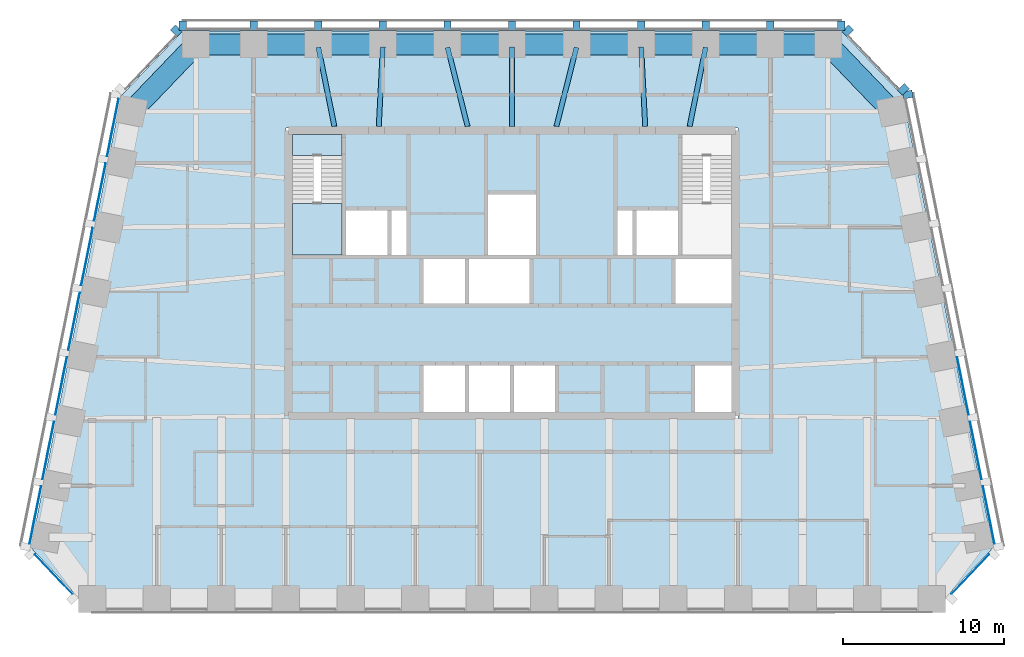
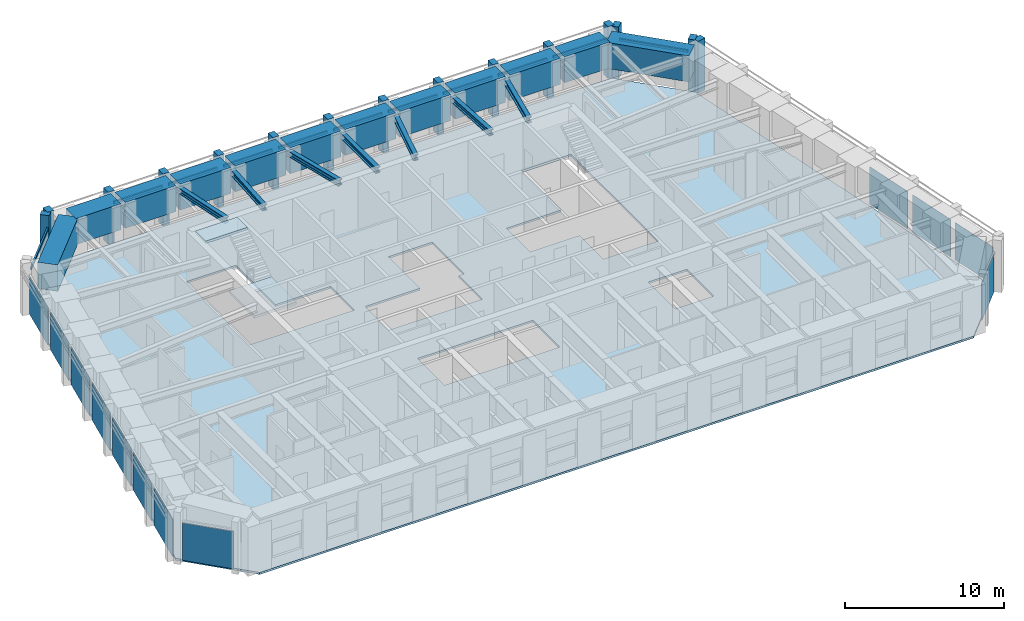
# One storey, part 3 of 12: 27 members, 19 beams, 12 plates, 3 slabs, 8 elements without a shape of their own.
"""IFC4 building model written with IfcOpenShell, lengths in metres."""

from ifc_helpers import new_model, si_unit, direction, frame, origin, origin_2d, place, context, subcontext, project, spatial, polyline, rectangle, i_section, outline, extrude, material, layer, layer_set, material_profile, profile_set, type_object, element, aggregate, save


model = new_model("IFC4")

# Units and contexts
model_context = context("Model", 3, precision=1e-05, world=origin(), true_north=direction((0.0, 1.0)))
body_context = subcontext(model_context, "Body", "Model", "MODEL_VIEW")
ifc_project = project(units=[si_unit("LENGTHUNIT", "METRE"), si_unit("AREAUNIT", "SQUARE_METRE"), si_unit("VOLUMEUNIT", "CUBIC_METRE"), si_unit("PLANEANGLEUNIT", "RADIAN"), si_unit("MASSUNIT", "GRAM", prefix="KILO")], contexts=[model_context])

# Site, building, storey
site_placement = place(None, origin())
site = spatial("IfcSite", under=ifc_project, at=site_placement, CompositionType="ELEMENT")
building_placement = place(site_placement, origin())
building = spatial("IfcBuilding", under=site, at=building_placement, Name="Isbrekke Arena Tower", CompositionType="ELEMENT")
storey_placement = place(building_placement, frame((0.0, 0.0, 292.0)))
storey = spatial("IfcBuildingStorey", under=building, at=storey_placement, Name="L68", CompositionType="ELEMENT", Elevation=292.0)

# Beams
ifc_material_1 = material(Name="Steel S355", Category="steel")
ifc_material_profile_1 = material_profile(ifc_material_1, i_section(OverallWidth=0.306884765625, OverallDepth=0.431884765625, WebThickness=0.02099609375, FlangeThickness=0.0400390625, FilletRadius=0.027099609375, at=origin_2d()), Name="HEM 400")
ifc_profile_set_1 = profile_set([ifc_material_profile_1], Name="Steel S355")
beam_type_1 = type_object("IfcBeamType", Name="B6 HEM 400", PredefinedType="BEAM", material=ifc_profile_set_1)
beam_1_placement = place(storey_placement, frame((11.993896484375, 28.9951171875, 3.634033203125), z_axis=(-0.198982177337, -0.980003108721, 0.0), x_axis=(0.980003108721, -0.198982177337, 0.0)))
element("IfcBeam", 1, at=beam_1_placement, inside=storey, type_object=beam_type_1, Name="B6 beam N-N03 L68", PredefinedType="BEAM", context=body_context, shape_type="SweptSolid", body=[
    extrude(i_section(OverallWidth=0.306884765625, OverallDepth=0.431884765625, WebThickness=0.02099609375, FlangeThickness=0.0400390625, FilletRadius=0.027099609375, at=origin_2d()), origin(), (0.0, 0.0, 1.0), 4.994873046875),
])
beam_2_placement = place(storey_placement, frame((8.00048828125, 29.017333984375, 3.634033203125), z_axis=(0.050677067868, -0.998715091902, 0.0), x_axis=(0.998715091902, 0.050677067868, 0.0)))
element("IfcBeam", 2, at=beam_2_placement, inside=storey, type_object=beam_type_1, Name="B6 beam N-N04 L68", PredefinedType="BEAM", context=body_context, shape_type="SweptSolid", body=[
    extrude(i_section(OverallWidth=0.306884765625, OverallDepth=0.431884765625, WebThickness=0.02099609375, FlangeThickness=0.0400390625, FilletRadius=0.027099609375, at=origin_2d()), origin(), (0.0, 0.0, 1.0), 4.923583984375),
])
beam_3_placement = place(storey_placement, frame((3.99072265625, 28.98828125, 3.634033203125), z_axis=(-0.246019579109, -0.969264858898, 0.0), x_axis=(0.969264858898, -0.246019579109, 0.0)))
element("IfcBeam", 3, at=beam_3_placement, inside=storey, type_object=beam_type_1, Name="B6 beam N-N05 L68", PredefinedType="BEAM", context=body_context, shape_type="SweptSolid", body=[
    extrude(i_section(OverallWidth=0.306884765625, OverallDepth=0.431884765625, WebThickness=0.02099609375, FlangeThickness=0.0400390625, FilletRadius=0.027099609375, at=origin_2d()), origin(), (0.0, 0.0, 1.0), 5.043212890625),
])
beam_4_placement = place(storey_placement, frame((0.0, 29.02490234375, 3.634033203125), z_axis=(0.0, -1.0, 0.0), x_axis=(1.0, 0.0, 0.0)))
element("IfcBeam", 4, at=beam_4_placement, inside=storey, type_object=beam_type_1, Name="B6 beam N-N06 L68", PredefinedType="BEAM", context=body_context, shape_type="SweptSolid", body=[
    extrude(i_section(OverallWidth=0.306884765625, OverallDepth=0.431884765625, WebThickness=0.02099609375, FlangeThickness=0.0400390625, FilletRadius=0.027099609375, at=origin_2d()), origin(), (0.0, 0.0, 1.0), 4.9248046875),
])
beam_5_placement = place(storey_placement, frame((-3.99072265625, 28.98828125, 3.634033203125), z_axis=(0.246019579109, -0.969264858898, 0.0), x_axis=(0.969264858898, 0.246019579109, 0.0)))
element("IfcBeam", 5, at=beam_5_placement, inside=storey, type_object=beam_type_1, Name="B6 beam N-N07 L68", PredefinedType="BEAM", context=body_context, shape_type="SweptSolid", body=[
    extrude(i_section(OverallWidth=0.306884765625, OverallDepth=0.431884765625, WebThickness=0.02099609375, FlangeThickness=0.0400390625, FilletRadius=0.027099609375, at=origin_2d()), origin(), (0.0, 0.0, 1.0), 5.043212890625),
])
beam_6_placement = place(storey_placement, frame((-8.00048828125, 29.017333984375, 3.634033203125), z_axis=(-0.050677067868, -0.998715091902, 0.0), x_axis=(0.998715091902, -0.050677067868, 0.0)))
element("IfcBeam", 6, at=beam_6_placement, inside=storey, type_object=beam_type_1, Name="B6 beam N-N08 L68", PredefinedType="BEAM", context=body_context, shape_type="SweptSolid", body=[
    extrude(i_section(OverallWidth=0.306884765625, OverallDepth=0.431884765625, WebThickness=0.02099609375, FlangeThickness=0.0400390625, FilletRadius=0.027099609375, at=origin_2d()), origin(), (0.0, 0.0, 1.0), 4.923583984375),
])
beam_7_placement = place(storey_placement, frame((-11.993896484375, 28.9951171875, 3.634033203125), z_axis=(0.198982177337, -0.980003108721, 0.0), x_axis=(0.980003108721, 0.198982177337, 0.0)))
element("IfcBeam", 7, at=beam_7_placement, inside=storey, type_object=beam_type_1, Name="B6 beam N-N09 L68", PredefinedType="BEAM", context=body_context, shape_type="SweptSolid", body=[
    extrude(i_section(OverallWidth=0.306884765625, OverallDepth=0.431884765625, WebThickness=0.02099609375, FlangeThickness=0.0400390625, FilletRadius=0.027099609375, at=origin_2d()), origin(), (0.0, 0.0, 1.0), 4.994873046875),
])

# Curtain wall, member
ifc_material_2 = material(Name="Glazed aluminium curtain wall", Category="aluminium")
curtain_wall_type = type_object("IfcCurtainWallType", Name="CWT TOWER CURTAIN WALL TOP ZONE", PredefinedType="USERDEFINED", material=ifc_material_2)
curtain_wall_1_placement = place(storey_placement, origin())
curtain_wall_1 = element("IfcCurtainWall", 8, at=curtain_wall_1_placement, inside=storey, type_object=curtain_wall_type, Name="CWT curtain wall L68-E", ObjectType="TOWER CURTAIN WALL TOP ZONE", PredefinedType="USERDEFINED")
ifc_material_3 = material(Name="Copper-clad aluminium mullion", Category="aluminium")
ifc_material_profile_2 = material_profile(ifc_material_3, rectangle(XDim=0.449951171875, YDim=0.60009765625, at=origin_2d()), Name="PIER 450X600")
ifc_profile_set_2 = profile_set([ifc_material_profile_2], Name="Copper-clad aluminium mullion")
member_type_1 = type_object("IfcMemberType", Name="CWT-M PIER MULLION 450 x 600", PredefinedType="MULLION", material=ifc_profile_set_2)
member_1_placement = place(storey_placement, frame((24.518798828125, 26.063720703125, 0.0), z_axis=(0.0, 0.0, 1.0), x_axis=(-0.196116135138, 0.980580675691, 0.0)))
member_1 = element("IfcMember", 9, at=member_1_placement, type_object=member_type_1, Name="CWT-M mullion 8", PredefinedType="MULLION", context=body_context, shape_type="SweptSolid", body=[
    extrude(rectangle(XDim=0.449951171875, YDim=0.60009765625, at=origin_2d()), origin(), (0.0, 0.0, 1.0), 4.0),
])

# Curtain wall, members
curtain_wall_2_placement = place(storey_placement, origin())
curtain_wall_2 = element("IfcCurtainWall", 10, at=curtain_wall_2_placement, inside=storey, type_object=curtain_wall_type, Name="CWT curtain wall L68-EN", ObjectType="TOWER CURTAIN WALL TOP ZONE", PredefinedType="USERDEFINED")
member_2_placement = place(storey_placement, frame((24.244384765625, 26.388671875, 0.0), z_axis=(0.0, 0.0, 1.0), x_axis=(-0.68874946192, 0.72499943359, 0.0)))
member_2 = element("IfcMember", 11, at=member_2_placement, type_object=member_type_1, Name="CWT-M mullion 1", PredefinedType="MULLION", context=body_context, shape_type="SweptSolid", body=[
    extrude(rectangle(XDim=0.449951171875, YDim=0.60009765625, at=origin_2d()), origin(), (0.0, 0.0, 1.0), 4.0),
])
member_3_placement = place(storey_placement, frame((20.795166015625, 30.019775390625, 0.0), z_axis=(0.0, 0.0, 1.0), x_axis=(-0.68874946192, 0.72499943359, 0.0)))
member_3 = element("IfcMember", 12, at=member_3_placement, type_object=member_type_1, Name="CWT-M mullion 2", PredefinedType="MULLION", context=body_context, shape_type="SweptSolid", body=[
    extrude(rectangle(XDim=0.449951171875, YDim=0.60009765625, at=origin_2d()), origin(), (0.0, 0.0, 1.0), 4.0),
])

curtain_wall_3_placement = place(storey_placement, origin())
curtain_wall_3 = element("IfcCurtainWall", 13, at=curtain_wall_3_placement, inside=storey, type_object=curtain_wall_type, Name="CWT curtain wall L68-N", ObjectType="TOWER CURTAIN WALL TOP ZONE", PredefinedType="USERDEFINED")
member_4_placement = place(storey_placement, frame((20.39990234375, 30.324951171875, 0.0), z_axis=(0.0, 0.0, 1.0), x_axis=(-1.0, 0.0, 0.0)))
member_4 = element("IfcMember", 14, at=member_4_placement, type_object=member_type_1, Name="CWT-M mullion 1", PredefinedType="MULLION", context=body_context, shape_type="SweptSolid", body=[
    extrude(rectangle(XDim=0.449951171875, YDim=0.60009765625, at=origin_2d()), origin(), (0.0, 0.0, 1.0), 4.0),
])
member_5_placement = place(storey_placement, frame((16.0, 30.324951171875, 0.0), z_axis=(0.0, 0.0, 1.0), x_axis=(-1.0, 0.0, 0.0)))
member_5 = element("IfcMember", 15, at=member_5_placement, type_object=member_type_1, Name="CWT-M mullion 2", PredefinedType="MULLION", context=body_context, shape_type="SweptSolid", body=[
    extrude(rectangle(XDim=0.449951171875, YDim=0.60009765625, at=origin_2d()), origin(), (0.0, 0.0, 1.0), 4.0),
])
member_6_placement = place(storey_placement, frame((12.0, 30.324951171875, 0.0), z_axis=(0.0, 0.0, 1.0), x_axis=(-1.0, 0.0, 0.0)))
member_6 = element("IfcMember", 16, at=member_6_placement, type_object=member_type_1, Name="CWT-M mullion 3", PredefinedType="MULLION", context=body_context, shape_type="SweptSolid", body=[
    extrude(rectangle(XDim=0.449951171875, YDim=0.60009765625, at=origin_2d()), origin(), (0.0, 0.0, 1.0), 4.0),
])
member_7_placement = place(storey_placement, frame((8.0, 30.324951171875, 0.0), z_axis=(0.0, 0.0, 1.0), x_axis=(-1.0, 0.0, 0.0)))
member_7 = element("IfcMember", 17, at=member_7_placement, type_object=member_type_1, Name="CWT-M mullion 4", PredefinedType="MULLION", context=body_context, shape_type="SweptSolid", body=[
    extrude(rectangle(XDim=0.449951171875, YDim=0.60009765625, at=origin_2d()), origin(), (0.0, 0.0, 1.0), 4.0),
])
member_8_placement = place(storey_placement, frame((4.0, 30.324951171875, 0.0), z_axis=(0.0, 0.0, 1.0), x_axis=(-1.0, 0.0, 0.0)))
member_8 = element("IfcMember", 18, at=member_8_placement, type_object=member_type_1, Name="CWT-M mullion 5", PredefinedType="MULLION", context=body_context, shape_type="SweptSolid", body=[
    extrude(rectangle(XDim=0.449951171875, YDim=0.60009765625, at=origin_2d()), origin(), (0.0, 0.0, 1.0), 4.0),
])
member_9_placement = place(storey_placement, frame((0.0, 30.324951171875, 0.0), z_axis=(0.0, 0.0, 1.0), x_axis=(-1.0, 0.0, 0.0)))
member_9 = element("IfcMember", 19, at=member_9_placement, type_object=member_type_1, Name="CWT-M mullion 6", PredefinedType="MULLION", context=body_context, shape_type="SweptSolid", body=[
    extrude(rectangle(XDim=0.449951171875, YDim=0.60009765625, at=origin_2d()), origin(), (0.0, 0.0, 1.0), 4.0),
])
member_10_placement = place(storey_placement, frame((-4.0, 30.324951171875, 0.0), z_axis=(0.0, 0.0, 1.0), x_axis=(-1.0, 0.0, 0.0)))
member_10 = element("IfcMember", 20, at=member_10_placement, type_object=member_type_1, Name="CWT-M mullion 7", PredefinedType="MULLION", context=body_context, shape_type="SweptSolid", body=[
    extrude(rectangle(XDim=0.449951171875, YDim=0.60009765625, at=origin_2d()), origin(), (0.0, 0.0, 1.0), 4.0),
])
member_11_placement = place(storey_placement, frame((-8.0, 30.324951171875, 0.0), z_axis=(0.0, 0.0, 1.0), x_axis=(-1.0, 0.0, 0.0)))
member_11 = element("IfcMember", 21, at=member_11_placement, type_object=member_type_1, Name="CWT-M mullion 8", PredefinedType="MULLION", context=body_context, shape_type="SweptSolid", body=[
    extrude(rectangle(XDim=0.449951171875, YDim=0.60009765625, at=origin_2d()), origin(), (0.0, 0.0, 1.0), 4.0),
])
member_12_placement = place(storey_placement, frame((-12.0, 30.324951171875, 0.0), z_axis=(0.0, 0.0, 1.0), x_axis=(-1.0, 0.0, 0.0)))
member_12 = element("IfcMember", 22, at=member_12_placement, type_object=member_type_1, Name="CWT-M mullion 9", PredefinedType="MULLION", context=body_context, shape_type="SweptSolid", body=[
    extrude(rectangle(XDim=0.449951171875, YDim=0.60009765625, at=origin_2d()), origin(), (0.0, 0.0, 1.0), 4.0),
])
member_13_placement = place(storey_placement, frame((-16.0, 30.324951171875, 0.0), z_axis=(0.0, 0.0, 1.0), x_axis=(-1.0, 0.0, 0.0)))
member_13 = element("IfcMember", 23, at=member_13_placement, type_object=member_type_1, Name="CWT-M mullion 10", PredefinedType="MULLION", context=body_context, shape_type="SweptSolid", body=[
    extrude(rectangle(XDim=0.449951171875, YDim=0.60009765625, at=origin_2d()), origin(), (0.0, 0.0, 1.0), 4.0),
])
member_14_placement = place(storey_placement, frame((-20.39990234375, 30.324951171875, 0.0), z_axis=(0.0, 0.0, 1.0), x_axis=(-1.0, 0.0, 0.0)))
member_14 = element("IfcMember", 24, at=member_14_placement, type_object=member_type_1, Name="CWT-M mullion 11", PredefinedType="MULLION", context=body_context, shape_type="SweptSolid", body=[
    extrude(rectangle(XDim=0.449951171875, YDim=0.60009765625, at=origin_2d()), origin(), (0.0, 0.0, 1.0), 4.0),
])

# Curtain wall, member
curtain_wall_4_placement = place(storey_placement, origin())
curtain_wall_4 = element("IfcCurtainWall", 25, at=curtain_wall_4_placement, inside=storey, type_object=curtain_wall_type, Name="CWT curtain wall L68-NW", ObjectType="TOWER CURTAIN WALL TOP ZONE", PredefinedType="USERDEFINED")
member_15_placement = place(storey_placement, frame((-20.795166015625, 30.01953125, 0.0), z_axis=(0.0, 0.0, 1.0), x_axis=(-0.68874946192, -0.72499943359, 0.0)))
member_15 = element("IfcMember", 26, at=member_15_placement, type_object=member_type_1, Name="CWT-M mullion 1", PredefinedType="MULLION", context=body_context, shape_type="SweptSolid", body=[
    extrude(rectangle(XDim=0.449951171875, YDim=0.60009765625, at=origin_2d()), origin(), (0.0, 0.0, 1.0), 4.0),
])

# Member
ifc_material_4 = material(Name="Aluminium transom", Category="aluminium")
ifc_material_profile_3 = material_profile(ifc_material_4, rectangle(XDim=0.1201171875, YDim=0.199951171875, at=origin_2d()), Name="TRANSOM 120X200")
ifc_profile_set_3 = profile_set([ifc_material_profile_3], Name="Aluminium transom")
member_type_2 = type_object("IfcMemberType", Name="CWT-T TRANSOM 120 x 200", PredefinedType="USERDEFINED", material=ifc_profile_set_3)
member_16_placement = place(storey_placement, frame((23.944580078125, 26.4140625, 3.0), z_axis=(-0.688771983213, 0.724978037696, 0.0), x_axis=(-0.724978037696, -0.688771983213, 0.0)))
member_16 = element("IfcMember", 27, at=member_16_placement, type_object=member_type_2, Name="CWT-T transom 1", ObjectType="TRANSOM", PredefinedType="USERDEFINED", context=body_context, shape_type="SweptSolid", body=[
    extrude(rectangle(XDim=0.1201171875, YDim=0.199951171875, at=origin_2d()), origin(), (0.0, 0.0, 1.0), 4.558349609375),
])

aggregate(curtain_wall_2, [member_2, member_3, member_16])

member_17_placement = place(storey_placement, frame((20.175048828125, 30.125, 3.0), z_axis=(-1.0, 0.0, 0.0), x_axis=(0.0, -1.0, 0.0)))
member_17 = element("IfcMember", 28, at=member_17_placement, type_object=member_type_2, Name="CWT-T transom 1", ObjectType="TRANSOM", PredefinedType="USERDEFINED", context=body_context, shape_type="SweptSolid", body=[
    extrude(rectangle(XDim=0.1201171875, YDim=0.199951171875, at=origin_2d()), origin(), (0.0, 0.0, 1.0), 3.949951171875),
])

member_18_placement = place(storey_placement, frame((15.77490234375, 30.125, 3.0), z_axis=(-1.0, 0.0, 0.0), x_axis=(0.0, -1.0, 0.0)))
member_18 = element("IfcMember", 29, at=member_18_placement, type_object=member_type_2, Name="CWT-T transom 2", ObjectType="TRANSOM", PredefinedType="USERDEFINED", context=body_context, shape_type="SweptSolid", body=[
    extrude(rectangle(XDim=0.1201171875, YDim=0.199951171875, at=origin_2d()), origin(), (0.0, 0.0, 1.0), 3.5498046875),
])

member_19_placement = place(storey_placement, frame((11.77490234375, 30.125, 3.0), z_axis=(-1.0, 0.0, 0.0), x_axis=(0.0, -1.0, 0.0)))
member_19 = element("IfcMember", 30, at=member_19_placement, type_object=member_type_2, Name="CWT-T transom 3", ObjectType="TRANSOM", PredefinedType="USERDEFINED", context=body_context, shape_type="SweptSolid", body=[
    extrude(rectangle(XDim=0.1201171875, YDim=0.199951171875, at=origin_2d()), origin(), (0.0, 0.0, 1.0), 3.5498046875),
])

member_20_placement = place(storey_placement, frame((7.77490234375, 30.125, 3.0), z_axis=(-1.0, 0.0, 0.0), x_axis=(0.0, -1.0, 0.0)))
member_20 = element("IfcMember", 31, at=member_20_placement, type_object=member_type_2, Name="CWT-T transom 4", ObjectType="TRANSOM", PredefinedType="USERDEFINED", context=body_context, shape_type="SweptSolid", body=[
    extrude(rectangle(XDim=0.1201171875, YDim=0.199951171875, at=origin_2d()), origin(), (0.0, 0.0, 1.0), 3.5498046875),
])

member_21_placement = place(storey_placement, frame((3.77490234375, 30.125, 3.0), z_axis=(-1.0, 0.0, 0.0), x_axis=(0.0, -1.0, 0.0)))
member_21 = element("IfcMember", 32, at=member_21_placement, type_object=member_type_2, Name="CWT-T transom 5", ObjectType="TRANSOM", PredefinedType="USERDEFINED", context=body_context, shape_type="SweptSolid", body=[
    extrude(rectangle(XDim=0.1201171875, YDim=0.199951171875, at=origin_2d()), origin(), (0.0, 0.0, 1.0), 3.5498046875),
])

member_22_placement = place(storey_placement, frame((-0.22509765625, 30.125, 3.0), z_axis=(-1.0, 0.0, 0.0), x_axis=(0.0, -1.0, 0.0)))
member_22 = element("IfcMember", 33, at=member_22_placement, type_object=member_type_2, Name="CWT-T transom 6", ObjectType="TRANSOM", PredefinedType="USERDEFINED", context=body_context, shape_type="SweptSolid", body=[
    extrude(rectangle(XDim=0.1201171875, YDim=0.199951171875, at=origin_2d()), origin(), (0.0, 0.0, 1.0), 3.5498046875),
])

member_23_placement = place(storey_placement, frame((-4.22509765625, 30.125, 3.0), z_axis=(-1.0, 0.0, 0.0), x_axis=(0.0, -1.0, 0.0)))
member_23 = element("IfcMember", 34, at=member_23_placement, type_object=member_type_2, Name="CWT-T transom 7", ObjectType="TRANSOM", PredefinedType="USERDEFINED", context=body_context, shape_type="SweptSolid", body=[
    extrude(rectangle(XDim=0.1201171875, YDim=0.199951171875, at=origin_2d()), origin(), (0.0, 0.0, 1.0), 3.5498046875),
])

member_24_placement = place(storey_placement, frame((-8.22509765625, 30.125, 3.0), z_axis=(-1.0, 0.0, 0.0), x_axis=(0.0, -1.0, 0.0)))
member_24 = element("IfcMember", 35, at=member_24_placement, type_object=member_type_2, Name="CWT-T transom 8", ObjectType="TRANSOM", PredefinedType="USERDEFINED", context=body_context, shape_type="SweptSolid", body=[
    extrude(rectangle(XDim=0.1201171875, YDim=0.199951171875, at=origin_2d()), origin(), (0.0, 0.0, 1.0), 3.5498046875),
])

member_25_placement = place(storey_placement, frame((-12.22509765625, 30.125, 3.0), z_axis=(-1.0, 0.0, 0.0), x_axis=(0.0, -1.0, 0.0)))
member_25 = element("IfcMember", 36, at=member_25_placement, type_object=member_type_2, Name="CWT-T transom 9", ObjectType="TRANSOM", PredefinedType="USERDEFINED", context=body_context, shape_type="SweptSolid", body=[
    extrude(rectangle(XDim=0.1201171875, YDim=0.199951171875, at=origin_2d()), origin(), (0.0, 0.0, 1.0), 3.5498046875),
])

member_26_placement = place(storey_placement, frame((-16.22509765625, 30.125, 3.0), z_axis=(-1.0, 0.0, 0.0), x_axis=(0.0, -1.0, 0.0)))
member_26 = element("IfcMember", 37, at=member_26_placement, type_object=member_type_2, Name="CWT-T transom 10", ObjectType="TRANSOM", PredefinedType="USERDEFINED", context=body_context, shape_type="SweptSolid", body=[
    extrude(rectangle(XDim=0.1201171875, YDim=0.199951171875, at=origin_2d()), origin(), (0.0, 0.0, 1.0), 3.949951171875),
])

aggregate(curtain_wall_3, [member_4, member_5, member_6, member_7, member_8, member_9, member_10, member_11, member_12, member_13, member_14, member_17, member_18, member_19, member_20, member_21, member_22, member_23, member_24, member_25, member_26])

member_27_placement = place(storey_placement, frame((-20.80517578125, 29.71875, 3.0), z_axis=(-0.688739606035, -0.725008796552, 0.0), x_axis=(0.725008796552, -0.688739606035, 0.0)))
member_27 = element("IfcMember", 38, at=member_27_placement, type_object=member_type_2, Name="CWT-T transom 1", ObjectType="TRANSOM", PredefinedType="USERDEFINED", context=body_context, shape_type="SweptSolid", body=[
    extrude(rectangle(XDim=0.1201171875, YDim=0.199951171875, at=origin_2d()), origin(), (0.0, 0.0, 1.0), 4.55712890625),
])

aggregate(curtain_wall_4, [member_15, member_27])

# Beams
ifc_material_5 = material(Name="Concrete B55 (C55/67)", Category="concrete")
ifc_material_profile_4 = material_profile(ifc_material_5, rectangle(XDim=1.300048828125, YDim=2.0, at=origin_2d()), Name="RC 1300x2000")
ifc_profile_set_4 = profile_set([ifc_material_profile_4], Name="Concrete B55 (C55/67)")
beam_type_2 = type_object("IfcBeamType", Name="SB4 RC 1300 x 2000", PredefinedType="SPANDREL", material=ifc_profile_set_4)
beam_8_placement = place(storey_placement, frame((23.448974609375, 25.137451171875, 3.0), z_axis=(-0.692339547635, 0.721571861134, 0.0), x_axis=(-0.721571861134, -0.692339547635, 0.0)))
element("IfcBeam", 39, at=beam_8_placement, inside=storey, type_object=beam_type_2, Name="SB4 spandrel E08-N01 L68", PredefinedType="SPANDREL", context=body_context, shape_type="SweptSolid", body=[
    extrude(rectangle(XDim=1.300048828125, YDim=2.0, at=origin_2d()), origin(), (0.0, 0.0, 1.0), 5.4453125),
])
beam_9_placement = place(storey_placement, frame((19.425048828125, 29.175048828125, 3.0), z_axis=(-1.0, 0.0, 0.0), x_axis=(0.0, -1.0, 0.0)))
element("IfcBeam", 40, at=beam_9_placement, inside=storey, type_object=beam_type_2, Name="SB4 spandrel N01-N02 L68", PredefinedType="SPANDREL", context=body_context, shape_type="SweptSolid", body=[
    extrude(rectangle(XDim=1.300048828125, YDim=2.0, at=origin_2d()), origin(), (0.0, 0.0, 1.0), 3.275146484375),
])
for number, where, z_axis, x_axis, name in (
    (41, (15.85009765625, 29.175048828125, 3.0), (-1.0, 0.0, 0.0), (0.0, -1.0, 0.0), "SB4 spandrel N02-N03 L68"),
    (42, (11.85009765625, 29.175048828125, 3.0), (-1.0, 0.0, 0.0), (0.0, -1.0, 0.0), "SB4 spandrel N03-N04 L68"),
    (43, (7.85009765625, 29.175048828125, 3.0), (-1.0, 0.0, 0.0), (0.0, -1.0, 0.0), "SB4 spandrel N04-N05 L68"),
    (44, (3.85009765625, 29.175048828125, 3.0), (-1.0, 0.0, 0.0), (0.0, -1.0, 0.0), "SB4 spandrel N05-N06 L68"),
    (45, (-0.14990234375, 29.175048828125, 3.0), (-1.0, 0.0, 0.0), (0.0, -1.0, 0.0), "SB4 spandrel N06-N07 L68"),
    (46, (-4.14990234375, 29.175048828125, 3.0), (-1.0, 0.0, 0.0), (0.0, -1.0, 0.0), "SB4 spandrel N07-N08 L68"),
    (47, (-8.14990234375, 29.175048828125, 3.0), (-1.0, 0.0, 0.0), (0.0, -1.0, 0.0), "SB4 spandrel N08-N09 L68"),
    (48, (-12.14990234375, 29.175048828125, 3.0), (-1.0, 0.0, 0.0), (0.0, -1.0, 0.0), "SB4 spandrel N09-N10 L68"),
):
    element("IfcBeam", number, at=place(storey_placement, frame(where, z_axis=z_axis, x_axis=x_axis)), inside=storey, type_object=beam_type_2, Name=name, PredefinedType="SPANDREL", context=body_context, shape_type="SweptSolid", body=[
        extrude(rectangle(XDim=1.300048828125, YDim=2.0, at=origin_2d()), origin(), (0.0, 0.0, 1.0), 3.7001953125),
    ])
beam_10_placement = place(storey_placement, frame((-16.14990234375, 29.175048828125, 3.0), z_axis=(-1.0, 0.0, 0.0), x_axis=(0.0, -1.0, 0.0)))
element("IfcBeam", 49, at=beam_10_placement, inside=storey, type_object=beam_type_2, Name="SB4 spandrel N10-N11 L68", PredefinedType="SPANDREL", context=body_context, shape_type="SweptSolid", body=[
    extrude(rectangle(XDim=1.300048828125, YDim=2.0, at=origin_2d()), origin(), (0.0, 0.0, 1.0), 3.275146484375),
])
beam_11_placement = place(storey_placement, frame((-19.678955078125, 29.066650390625, 3.0), z_axis=(-0.692339547635, -0.721571861134, 0.0), x_axis=(0.721571861134, -0.692339547635, 0.0)))
element("IfcBeam", 50, at=beam_11_placement, inside=storey, type_object=beam_type_2, Name="SB4 spandrel N11-W01 L68", PredefinedType="SPANDREL", context=body_context, shape_type="SweptSolid", body=[
    extrude(rectangle(XDim=1.300048828125, YDim=2.0, at=origin_2d()), origin(), (0.0, 0.0, 1.0), 5.4453125),
])

# Curtain wall, plate
curtain_wall_5_placement = place(storey_placement, origin())
curtain_wall_5 = element("IfcCurtainWall", 51, at=curtain_wall_5_placement, inside=storey, type_object=curtain_wall_type, Name="CWT curtain wall L68-SE", ObjectType="TOWER CURTAIN WALL TOP ZONE", PredefinedType="USERDEFINED")
ifc_material_6 = material(Name="Triple-glazed clear glass unit", Category="glass")
ifc_layer_1 = layer(ifc_material_6, 0.031982421875)
ifc_layer_set_1 = layer_set([ifc_layer_1], Name="CWT-P VISION PANEL")
plate_type = type_object("IfcPlateType", Name="CWT-P VISION PANEL", PredefinedType="CURTAIN_PANEL", material=ifc_layer_set_1)
plate_1_placement = place(storey_placement, frame((28.383056640625, -3.63671875, 0.02001953125), z_axis=(0.0, 0.0, 1.0), x_axis=(0.68874946192, 0.72499943359, 0.0)))
plate_1 = element("IfcPlate", 52, at=plate_1_placement, type_object=plate_type, Name="CWT-P panel 1", PredefinedType="CURTAIN_PANEL", context=body_context, shape_type="SweptSolid", body=[
    extrude(rectangle(XDim=3.34765625, YDim=0.031982421875, at=origin_2d()), origin(), (0.0, 0.0, 1.0), 2.8798828125),
])
aggregate(curtain_wall_5, [plate_1])

# Plate
plate_2_placement = place(storey_placement, frame((29.5224609375, 0.0244140625, 0.02001953125), z_axis=(0.0, 0.0, 1.0), x_axis=(-0.196116135138, 0.980580675691, 0.0)))
plate_2 = element("IfcPlate", 53, at=plate_2_placement, type_object=plate_type, Name="CWT-P panel 1", PredefinedType="CURTAIN_PANEL", context=body_context, shape_type="SweptSolid", body=[
    extrude(rectangle(XDim=3.629150390625, YDim=0.031982421875, at=origin_2d()), origin(), (0.0, 0.0, 1.0), 2.8798828125),
])

plate_3_placement = place(storey_placement, frame((28.72265625, 4.0244140625, 0.02001953125), z_axis=(0.0, 0.0, 1.0), x_axis=(-0.196116135138, 0.980580675691, 0.0)))
plate_3 = element("IfcPlate", 54, at=plate_3_placement, type_object=plate_type, Name="CWT-P panel 2", PredefinedType="CURTAIN_PANEL", context=body_context, shape_type="SweptSolid", body=[
    extrude(rectangle(XDim=3.629150390625, YDim=0.031982421875, at=origin_2d()), origin(), (0.0, 0.0, 1.0), 2.8798828125),
])

plate_4_placement = place(storey_placement, frame((27.922607421875, 8.0244140625, 0.02001953125), z_axis=(0.0, 0.0, 1.0), x_axis=(-0.196116135138, 0.980580675691, 0.0)))
plate_4 = element("IfcPlate", 55, at=plate_4_placement, type_object=plate_type, Name="CWT-P panel 3", PredefinedType="CURTAIN_PANEL", context=body_context, shape_type="SweptSolid", body=[
    extrude(rectangle(XDim=3.629150390625, YDim=0.031982421875, at=origin_2d()), origin(), (0.0, 0.0, 1.0), 2.8798828125),
])

aggregate(curtain_wall_1, [member_1, plate_2, plate_3, plate_4])

# Curtain wall, plates
curtain_wall_6_placement = place(storey_placement, origin())
curtain_wall_6 = element("IfcCurtainWall", 56, at=curtain_wall_6_placement, inside=storey, type_object=curtain_wall_type, Name="CWT curtain wall L68-W", ObjectType="TOWER CURTAIN WALL TOP ZONE", PredefinedType="USERDEFINED")
plate_5_placement = place(storey_placement, frame((-24.72265625, 24.0244140625, 0.02001953125), z_axis=(0.0, 0.0, 1.0), x_axis=(-0.196116135138, -0.980580675691, 0.0)))
plate_5 = element("IfcPlate", 57, at=plate_5_placement, type_object=plate_type, Name="CWT-P panel 1", PredefinedType="CURTAIN_PANEL", context=body_context, shape_type="SweptSolid", body=[
    extrude(rectangle(XDim=3.629150390625, YDim=0.031982421875, at=origin_2d()), origin(), (0.0, 0.0, 1.0), 2.8798828125),
])
plate_6_placement = place(storey_placement, frame((-25.5224609375, 20.0244140625, 0.02001953125), z_axis=(0.0, 0.0, 1.0), x_axis=(-0.196116135138, -0.980580675691, 0.0)))
plate_6 = element("IfcPlate", 58, at=plate_6_placement, type_object=plate_type, Name="CWT-P panel 2", PredefinedType="CURTAIN_PANEL", context=body_context, shape_type="SweptSolid", body=[
    extrude(rectangle(XDim=3.629150390625, YDim=0.031982421875, at=origin_2d()), origin(), (0.0, 0.0, 1.0), 2.8798828125),
])
plate_7_placement = place(storey_placement, frame((-26.322509765625, 16.0244140625, 0.02001953125), z_axis=(0.0, 0.0, 1.0), x_axis=(-0.196116135138, -0.980580675691, 0.0)))
plate_7 = element("IfcPlate", 59, at=plate_7_placement, type_object=plate_type, Name="CWT-P panel 3", PredefinedType="CURTAIN_PANEL", context=body_context, shape_type="SweptSolid", body=[
    extrude(rectangle(XDim=3.629150390625, YDim=0.031982421875, at=origin_2d()), origin(), (0.0, 0.0, 1.0), 2.8798828125),
])
plate_8_placement = place(storey_placement, frame((-27.12255859375, 12.0244140625, 0.02001953125), z_axis=(0.0, 0.0, 1.0), x_axis=(-0.196116135138, -0.980580675691, 0.0)))
plate_8 = element("IfcPlate", 60, at=plate_8_placement, type_object=plate_type, Name="CWT-P panel 4", PredefinedType="CURTAIN_PANEL", context=body_context, shape_type="SweptSolid", body=[
    extrude(rectangle(XDim=3.629150390625, YDim=0.031982421875, at=origin_2d()), origin(), (0.0, 0.0, 1.0), 2.8798828125),
])
plate_9_placement = place(storey_placement, frame((-27.922607421875, 8.0244140625, 0.02001953125), z_axis=(0.0, 0.0, 1.0), x_axis=(-0.196116135138, -0.980580675691, 0.0)))
plate_9 = element("IfcPlate", 61, at=plate_9_placement, type_object=plate_type, Name="CWT-P panel 5", PredefinedType="CURTAIN_PANEL", context=body_context, shape_type="SweptSolid", body=[
    extrude(rectangle(XDim=3.629150390625, YDim=0.031982421875, at=origin_2d()), origin(), (0.0, 0.0, 1.0), 2.8798828125),
])
plate_10_placement = place(storey_placement, frame((-28.72265625, 4.0244140625, 0.02001953125), z_axis=(0.0, 0.0, 1.0), x_axis=(-0.196116135138, -0.980580675691, 0.0)))
plate_10 = element("IfcPlate", 62, at=plate_10_placement, type_object=plate_type, Name="CWT-P panel 6", PredefinedType="CURTAIN_PANEL", context=body_context, shape_type="SweptSolid", body=[
    extrude(rectangle(XDim=3.629150390625, YDim=0.031982421875, at=origin_2d()), origin(), (0.0, 0.0, 1.0), 2.8798828125),
])
plate_11_placement = place(storey_placement, frame((-29.5224609375, 0.0244140625, 0.02001953125), z_axis=(0.0, 0.0, 1.0), x_axis=(-0.196116135138, -0.980580675691, 0.0)))
plate_11 = element("IfcPlate", 63, at=plate_11_placement, type_object=plate_type, Name="CWT-P panel 7", PredefinedType="CURTAIN_PANEL", context=body_context, shape_type="SweptSolid", body=[
    extrude(rectangle(XDim=3.629150390625, YDim=0.031982421875, at=origin_2d()), origin(), (0.0, 0.0, 1.0), 2.8798828125),
])
aggregate(curtain_wall_6, [plate_5, plate_6, plate_7, plate_8, plate_9, plate_10, plate_11])

# Curtain wall, plate
curtain_wall_7_placement = place(storey_placement, origin())
curtain_wall_7 = element("IfcCurtainWall", 64, at=curtain_wall_7_placement, inside=storey, type_object=curtain_wall_type, Name="CWT curtain wall L68-WS", ObjectType="TOWER CURTAIN WALL TOP ZONE", PredefinedType="USERDEFINED")
plate_12_placement = place(storey_placement, frame((-28.382568359375, -3.63720703125, 0.02001953125), z_axis=(0.0, 0.0, 1.0), x_axis=(0.68874946192, -0.72499943359, 0.0)))
plate_12 = element("IfcPlate", 65, at=plate_12_placement, type_object=plate_type, Name="CWT-P panel 1", PredefinedType="CURTAIN_PANEL", context=body_context, shape_type="SweptSolid", body=[
    extrude(rectangle(XDim=3.3466796875, YDim=0.031982421875, at=origin_2d()), origin(), (0.0, 0.0, 1.0), 2.8798828125),
])
aggregate(curtain_wall_7, [plate_12])

# Slab
ifc_material_7 = material(Name="Concrete B35 (C35/45)", Category="concrete")
ifc_layer_2 = layer(ifc_material_7, 0.14990234375)
ifc_layer_set_2 = layer_set([ifc_layer_2], Name="FS1 COMPOSITE FLOOR 150")
slab_type_1 = type_object("IfcSlabType", Name="FS1 COMPOSITE FLOOR 150", PredefinedType="FLOOR", material=ifc_layer_set_2)
slab_1_placement = place(storey_placement, frame((0.0, 0.0, -0.14990234375)))
element("IfcSlab", 66, at=slab_1_placement, inside=storey, type_object=slab_type_1, Name="FS1 floor slab L68", PredefinedType="FLOOR", context=body_context, shape_type="SweptSolid", body=[
    extrude(outline(polyline([(-26.0, -6.0), (26.0, -6.0), (29.800048828125, -2.0), (24.199951171875, 26.0), (20.39990234375, 30.0), (-20.39990234375, 30.0), (-24.199951171875, 26.0), (-29.800048828125, -2.0), (-26.0, -6.0)]), holes=[polyline([(2.800048828125, 9.39990234375), (2.800048828125, 6.0), (-5.60009765625, 6.0), (-5.60009765625, 9.39990234375), (2.800048828125, 9.39990234375)]), polyline([(11.199951171875, 6.0), (11.199951171875, 9.39990234375), (14.0, 9.39990234375), (14.0, 6.0), (11.199951171875, 6.0)]), polyline([(-5.60009765625, 13.0), (-5.60009765625, 16.0), (-1.60009765625, 16.0), (-1.60009765625, 20.0), (1.60009765625, 20.0), (1.60009765625, 16.0), (1.199951171875, 16.0), (1.199951171875, 13.0), (-5.60009765625, 13.0)]), polyline([(14.0, 13.0), (10.0, 13.0), (10.0, 16.0), (6.39990234375, 16.0), (6.39990234375, 19.0), (10.39990234375, 19.0), (10.39990234375, 24.0), (14.0, 24.0), (14.0, 13.0)]), polyline([(-6.39990234375, 19.0), (-6.39990234375, 16.0), (-14.0, 16.0), (-14.0, 24.0), (-10.39990234375, 24.0), (-10.39990234375, 19.0), (-6.39990234375, 19.0)])]), origin(), (0.0, 0.0, 1.0), 0.14990234375),
])

# Stair, slabs
ifc_material_8 = material(Name="Concrete B45 (C45/55) precast", Category="concrete")
stair_type = type_object("IfcStairType", Name="ST40 STAIR 1300 WIDE, 24 RISERS 167", PredefinedType="HALF_TURN_STAIR", material=ifc_material_8)
stair_placement = place(storey_placement, origin())
stair = element("IfcStair", 67, at=stair_placement, inside=storey, type_object=stair_type, Name="ST1 stair L68", PredefinedType="HALF_TURN_STAIR")
ifc_material_9 = material(Name="Concrete B35 (C35/45)", Category="concrete")
ifc_layer_3 = layer(ifc_material_9, 0.199951171875)
ifc_layer_set_3 = layer_set([ifc_layer_3], Name="SL1 STAIR LANDING 200")
slab_type_2 = type_object("IfcSlabType", Name="SL1 STAIR LANDING 200", PredefinedType="LANDING", material=ifc_layer_set_3)
slab_2_placement = place(storey_placement, frame((0.0, 0.0, 1.800048828125)))
slab_2 = element("IfcSlab", 68, at=slab_2_placement, type_object=slab_type_2, Name="ST1 landing 1", PredefinedType="LANDING", context=body_context, shape_type="SweptSolid", body=[
    extrude(outline(polyline([(-13.60009765625, 16.125), (-10.52490234375, 16.125), (-10.52490234375, 19.330078125), (-13.60009765625, 19.330078125), (-13.60009765625, 16.125)])), origin(), (0.0, 0.0, 1.0), 0.199951171875),
])
slab_3_placement = place(storey_placement, frame((0.0, 0.0, 3.800048828125)))
slab_3 = element("IfcSlab", 69, at=slab_3_placement, type_object=slab_type_2, Name="ST1 landing 2", PredefinedType="LANDING", context=body_context, shape_type="SweptSolid", body=[
    extrude(outline(polyline([(-13.60009765625, 22.300048828125), (-10.52490234375, 22.300048828125), (-10.52490234375, 23.60009765625), (-13.60009765625, 23.60009765625), (-13.60009765625, 22.300048828125)])), origin(), (0.0, 0.0, 1.0), 0.199951171875),
])
aggregate(stair, [slab_2, slab_3])

save(model, "model.ifc")
